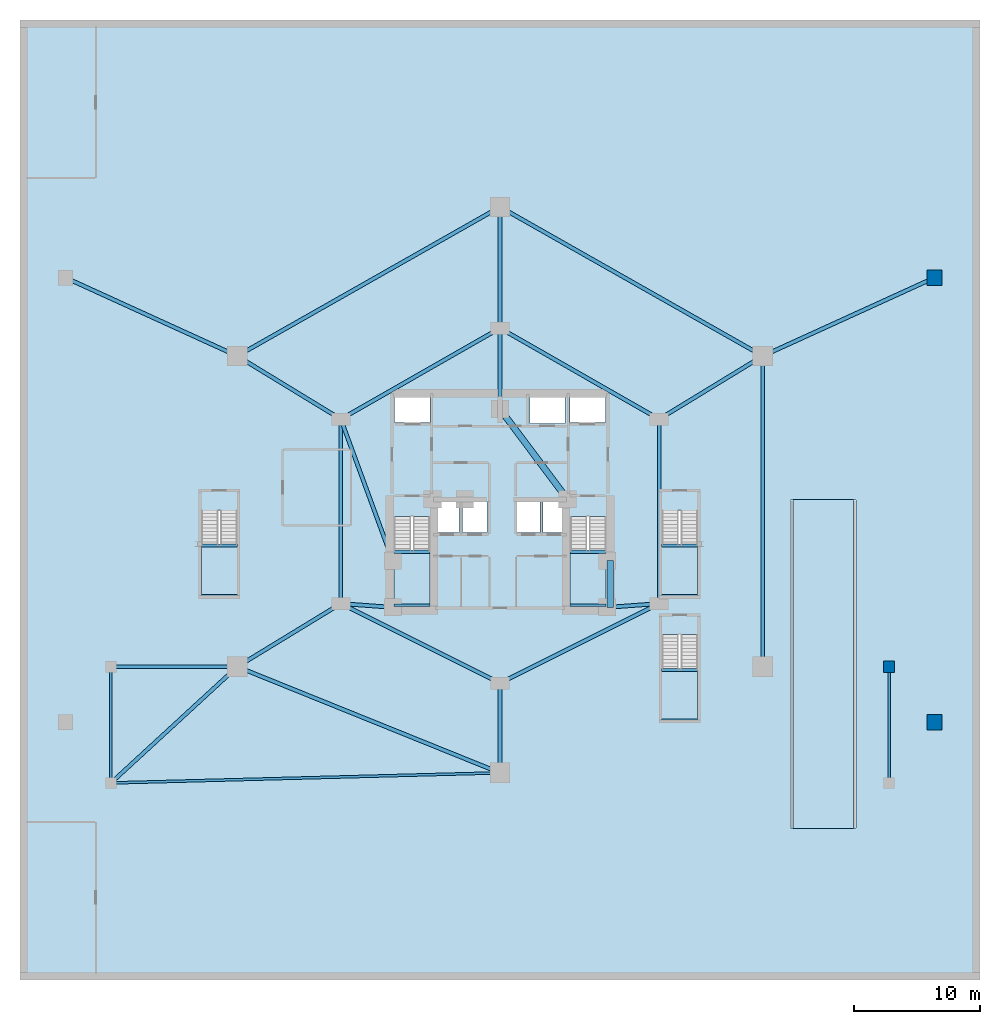
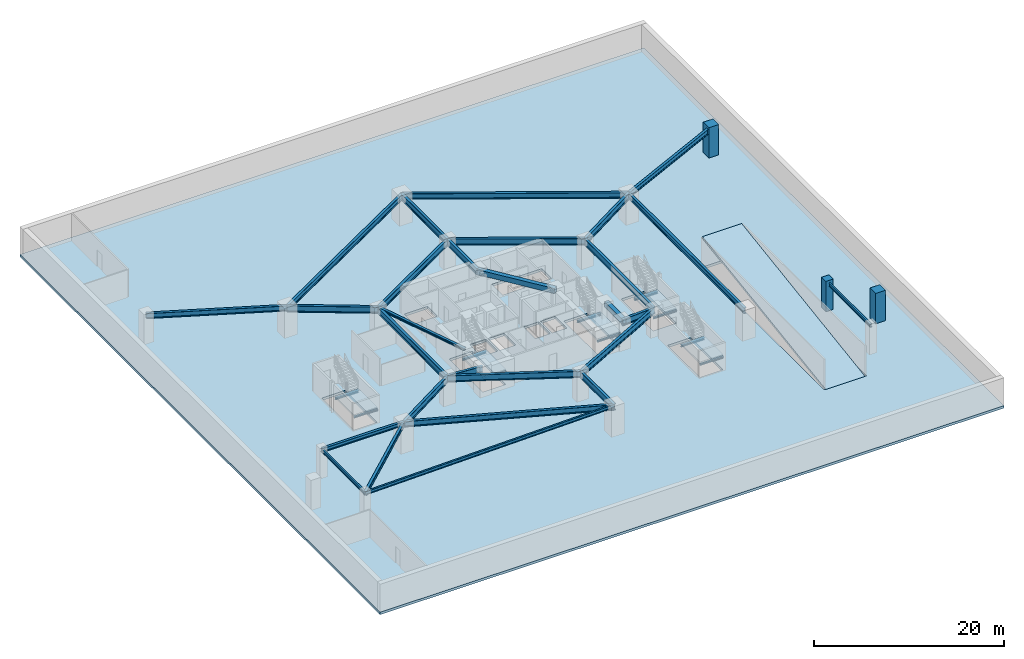
# One storey, part 4 of 12: 38 beams, 7 slabs, 3 columns, 5 elements without a shape of their own.
"""IFC4 building model written with IfcOpenShell, lengths in metres."""

from ifc_helpers import new_model, si_unit, direction, frame, origin, origin_2d, place, context, subcontext, project, spatial, polyline, rectangle, i_section, outline, extrude, material, layer, layer_set, material_profile, profile_set, type_object, element, aggregate, save


model = new_model("IFC4")

# Units and contexts
model_context = context("Model", 3, precision=1e-05, world=origin(), true_north=direction((0.0, 1.0)))
body_context = subcontext(model_context, "Body", "Model", "MODEL_VIEW")
ifc_project = project(units=[si_unit("LENGTHUNIT", "METRE"), si_unit("AREAUNIT", "SQUARE_METRE"), si_unit("VOLUMEUNIT", "CUBIC_METRE"), si_unit("PLANEANGLEUNIT", "RADIAN"), si_unit("MASSUNIT", "GRAM", prefix="KILO")], contexts=[model_context])

# Site, building, storey
site_placement = place(None, origin())
site = spatial("IfcSite", under=ifc_project, at=site_placement, CompositionType="ELEMENT")
building_placement = place(site_placement, origin())
building = spatial("IfcBuilding", under=site, at=building_placement, Name="Miruveldt Soraemaru", CompositionType="ELEMENT")
storey_placement = place(building_placement, frame((0.0, 0.0, -11.699951171875)))
storey = spatial("IfcBuildingStorey", under=building, at=storey_placement, Name="B3", CompositionType="ELEMENT", Elevation=-11.699951171875)

# Columns
ifc_material_1 = material(Name="Concrete C70/85 (70 MPa)", Category="concrete")
ifc_material_profile_1 = material_profile(ifc_material_1, rectangle(XDim=1.199951171875, YDim=1.199951171875, at=origin_2d()), Name="Concrete C70/85 (70 MPa)", Category="concrete")
ifc_profile_set_1 = profile_set([ifc_material_profile_1], Name="Concrete C70/85 (70 MPa)")
column_type_1 = type_object("IfcColumnType", Name="COL-CORE-1200", PredefinedType="COLUMN", material=ifc_profile_set_1)
for number, where, z_axis, x_axis, name in (
    (1, (78.39990234375, 26.39990234375, 0.0), (0.0, 0.0, 1.0), (1.0, 0.0, 0.0), "B3 Structural Column BC3"),
    (2, (78.39990234375, 61.60009765625, 0.0), (0.0, 0.0, 1.0), (1.0, 0.0, 0.0), "B3 Structural Column BC4"),
):
    element("IfcColumn", number, at=place(storey_placement, frame(where, z_axis=z_axis, x_axis=x_axis)), inside=storey, type_object=column_type_1, Name=name, PredefinedType="COLUMN", context=body_context, shape_type="SweptSolid", body=[
        extrude(rectangle(XDim=1.199951171875, YDim=1.199951171875, at=origin_2d()), origin(), (0.0, 0.0, 1.0), 3.89990234375),
    ])
ifc_material_2 = material(Name="Concrete C50/60 (50 MPa)", Category="concrete")
ifc_material_profile_2 = material_profile(ifc_material_2, rectangle(XDim=0.89990234375, YDim=0.89990234375, at=origin_2d()), Name="Concrete C50/60 (50 MPa)", Category="concrete")
ifc_profile_set_2 = profile_set([ifc_material_profile_2], Name="Concrete C50/60 (50 MPa)")
column_type_2 = type_object("IfcColumnType", Name="COL-CORE-900", PredefinedType="COLUMN", material=ifc_profile_set_2)
column_placement = place(storey_placement, frame((74.800048828125, 30.800048828125, 0.0), z_axis=(0.0, 0.0, 1.0), x_axis=(1.0, 0.0, 0.0)))
element("IfcColumn", 3, at=column_placement, inside=storey, type_object=column_type_2, Name="B3 Structural Column PF04", PredefinedType="COLUMN", context=body_context, shape_type="SweptSolid", body=[
    extrude(rectangle(XDim=0.89990234375, YDim=0.89990234375, at=origin_2d()), origin(), (0.0, 0.0, 1.0), 3.89990234375),
])

# Beams
ifc_material_3 = material(Name="Steel SM355 (355 MPa)", Category="steel")
ifc_material_profile_3 = material_profile(ifc_material_3, i_section(OverallWidth=0.300048828125, OverallDepth=0.300048828125, WebThickness=0.010009765625, FlangeThickness=0.014892578125, FilletRadius=0.01806640625, at=origin_2d()), Name="Steel SM355 (355 MPa)", Category="steel")
ifc_profile_set_3 = profile_set([ifc_material_profile_3], Name="Steel SM355 (355 MPa)")
beam_type_1 = type_object("IfcBeamType", Name="BM-LNT-H300", PredefinedType="LINTEL", material=ifc_profile_set_3)
beam_1_placement = place(storey_placement, frame((31.39990234375, 50.39990234375, 3.429931640625), z_axis=(0.343770424598, -0.939053723262, 0.0), x_axis=(0.939053723262, 0.343770424598, 0.0)))
element("IfcBeam", 4, at=beam_1_placement, inside=storey, type_object=beam_type_1, Name="B3 West Lobby Lintel", PredefinedType="LINTEL", context=body_context, shape_type="SweptSolid", body=[
    extrude(i_section(OverallWidth=0.300048828125, OverallDepth=0.300048828125, WebThickness=0.010009765625, FlangeThickness=0.014892578125, FilletRadius=0.01806640625, at=origin_2d()), origin(), (0.0, 0.0, 1.0), 11.9267578125),
])
ifc_material_profile_4 = material_profile(ifc_material_2, rectangle(XDim=0.5, YDim=0.64990234375, at=origin_2d()), Name="Concrete C50/60 (50 MPa)", Category="concrete")
ifc_profile_set_4 = profile_set([ifc_material_profile_4], Name="Concrete C50/60 (50 MPa)")
beam_type_2 = type_object("IfcBeamType", Name="BM-RC-500x650", PredefinedType="BEAM", material=ifc_profile_set_4)
beam_2_placement = place(storey_placement, frame((52.72998046875, 35.5, 3.2548828125), z_axis=(0.0, 1.0, 0.0), x_axis=(-1.0, 0.0, 0.0)))
element("IfcBeam", 5, at=beam_2_placement, inside=storey, type_object=beam_type_2, Name="B3 Core Tie Beam 3", PredefinedType="BEAM", context=body_context, shape_type="SweptSolid", body=[
    extrude(rectangle(XDim=0.5, YDim=0.64990234375, at=origin_2d()), origin(), (0.0, 0.0, 1.0), 3.699951171875),
])
beam_3_placement = place(storey_placement, frame((49.35009765625, 44.050048828125, 3.2548828125), z_axis=(-0.599116023999, 0.800662219533, 0.0), x_axis=(-0.800662219533, -0.599116023999, 0.0)))
element("IfcBeam", 6, at=beam_3_placement, inside=storey, type_object=beam_type_2, Name="B3 Core Tie Beam 5", PredefinedType="BEAM", context=body_context, shape_type="SweptSolid", body=[
    extrude(rectangle(XDim=0.5, YDim=0.64990234375, at=origin_2d()), origin(), (0.0, 0.0, 1.0), 8.929931640625),
])
ifc_material_profile_5 = material_profile(ifc_material_3, i_section(OverallWidth=0.199951171875, OverallDepth=0.39990234375, WebThickness=0.008056640625, FlangeThickness=0.012939453125, FilletRadius=0.01611328125, at=origin_2d()), Name="Steel SM355 (355 MPa)", Category="steel")
ifc_profile_set_5 = profile_set([ifc_material_profile_5], Name="Steel SM355 (355 MPa)")
beam_type_3 = type_object("IfcBeamType", Name="BM-ST-H400", PredefinedType="JOIST", material=ifc_profile_set_5)
beam_4_placement = place(storey_placement, frame((13.199951171875, 30.800048828125, 3.3798828125), z_axis=(0.0, -1.0, 0.0), x_axis=(1.0, 0.0, 0.0)))
element("IfcBeam", 7, at=beam_4_placement, inside=storey, type_object=beam_type_3, Name="B3 Podium West Bay Edge Beam", PredefinedType="JOIST", context=body_context, shape_type="SweptSolid", body=[
    extrude(i_section(OverallWidth=0.199951171875, OverallDepth=0.39990234375, WebThickness=0.008056640625, FlangeThickness=0.012939453125, FilletRadius=0.01611328125, at=origin_2d()), origin(), (0.0, 0.0, 1.0), 9.199951171875),
])
beam_5_placement = place(storey_placement, frame((13.199951171875, 21.60009765625, 3.3798828125), z_axis=(0.999663011165, 0.025958892686, 0.0), x_axis=(-0.025958892686, 0.999663011165, 0.0)))
element("IfcBeam", 8, at=beam_5_placement, inside=storey, type_object=beam_type_3, Name="B3 Podium South-West Tie Beam", PredefinedType="JOIST", context=body_context, shape_type="SweptSolid", body=[
    extrude(i_section(OverallWidth=0.199951171875, OverallDepth=0.39990234375, WebThickness=0.008056640625, FlangeThickness=0.012939453125, FilletRadius=0.01611328125, at=origin_2d()), origin(), (0.0, 0.0, 1.0), 30.810546875),
])
beam_6_placement = place(storey_placement, frame((74.800048828125, 30.800048828125, 3.3798828125), z_axis=(0.0, -1.0, 0.0), x_axis=(1.0, 0.0, 0.0)))
element("IfcBeam", 9, at=beam_6_placement, inside=storey, type_object=beam_type_3, Name="B3 Podium East Bay Edge Beam", PredefinedType="JOIST", context=body_context, shape_type="SweptSolid", body=[
    extrude(i_section(OverallWidth=0.199951171875, OverallDepth=0.39990234375, WebThickness=0.008056640625, FlangeThickness=0.012939453125, FilletRadius=0.01611328125, at=origin_2d()), origin(), (0.0, 0.0, 1.0), 9.199951171875),
])
ifc_material_profile_6 = material_profile(ifc_material_3, i_section(OverallWidth=0.300048828125, OverallDepth=0.488037109375, WebThickness=0.010986328125, FlangeThickness=0.01806640625, FilletRadius=0.02587890625, at=origin_2d()), Name="Steel SM355 (355 MPa)", Category="steel")
ifc_profile_set_6 = profile_set([ifc_material_profile_6], Name="Steel SM355 (355 MPa)")
beam_type_4 = type_object("IfcBeamType", Name="BM-ST-H488", PredefinedType="BEAM", material=ifc_profile_set_6)
beam_7_placement = place(storey_placement, frame((23.199951171875, 30.800048828125, 3.3359375), z_axis=(-1.0, 0.0, 0.0), x_axis=(0.0, -1.0, 0.0)))
element("IfcBeam", 10, at=beam_7_placement, inside=storey, type_object=beam_type_4, Name="B3 Podium West Bay Girder 1", PredefinedType="BEAM", context=body_context, shape_type="SweptSolid", body=[
    extrude(i_section(OverallWidth=0.300048828125, OverallDepth=0.488037109375, WebThickness=0.010986328125, FlangeThickness=0.01806640625, FilletRadius=0.02587890625, at=origin_2d()), origin(), (0.0, 0.0, 1.0), 10.0),
])
beam_8_placement = place(storey_placement, frame((13.199951171875, 21.60009765625, 3.3359375), z_axis=(0.735932802242, 0.677054584641, 0.0), x_axis=(-0.677054584641, 0.735932802242, 0.0)))
element("IfcBeam", 11, at=beam_8_placement, inside=storey, type_object=beam_type_4, Name="B3 Podium West Bay Tie Girder", PredefinedType="BEAM", context=body_context, shape_type="SweptSolid", body=[
    extrude(i_section(OverallWidth=0.300048828125, OverallDepth=0.488037109375, WebThickness=0.010986328125, FlangeThickness=0.01806640625, FilletRadius=0.02587890625, at=origin_2d()), origin(), (0.0, 0.0, 1.0), 13.588134765625),
])
ifc_material_profile_7 = material_profile(ifc_material_3, i_section(OverallWidth=0.300048828125, OverallDepth=0.64990234375, WebThickness=0.012939453125, FlangeThickness=0.02197265625, FilletRadius=0.02587890625, at=origin_2d()), Name="Steel SM355 (355 MPa)", Category="steel")
ifc_profile_set_7 = profile_set([ifc_material_profile_7], Name="Steel SM355 (355 MPa)")
beam_type_5 = type_object("IfcBeamType", Name="BM-ST-H650", PredefinedType="BEAM", material=ifc_profile_set_7)
for number, where, z_axis, x_axis, name in (
    (12, (23.199951171875, 55.39990234375, 3.2548828125), (-0.909901047337, 0.414825365733, 0.0), (-0.414825365733, -0.909901047337, 0.0), "B3 Basement Outer Girder 2"),
    (13, (64.800048828125, 55.39990234375, 3.2548828125), (0.909901047337, 0.414825365733, 0.0), (-0.414825365733, 0.909901047337, 0.0), "B3 Basement Outer Girder 4"),
):
    element("IfcBeam", number, at=place(storey_placement, frame(where, z_axis=z_axis, x_axis=x_axis)), inside=storey, type_object=beam_type_5, Name=name, PredefinedType="BEAM", context=body_context, shape_type="SweptSolid", body=[
        extrude(i_section(OverallWidth=0.300048828125, OverallDepth=0.64990234375, WebThickness=0.012939453125, FlangeThickness=0.02197265625, FilletRadius=0.02587890625, at=origin_2d()), origin(), (0.0, 0.0, 1.0), 14.946533203125),
    ])
ifc_material_profile_8 = material_profile(ifc_material_3, i_section(OverallWidth=0.300048828125, OverallDepth=0.699951171875, WebThickness=0.012939453125, FlangeThickness=0.02392578125, FilletRadius=0.028076171875, at=origin_2d()), Name="Steel SM355 (355 MPa)", Category="steel")
ifc_profile_set_8 = profile_set([ifc_material_profile_8], Name="Steel SM355 (355 MPa)")
beam_type_6 = type_object("IfcBeamType", Name="BM-ST-H700", PredefinedType="BEAM", material=ifc_profile_set_8)
beam_9_placement = place(storey_placement, frame((44.0, 67.199951171875, 3.22998046875), z_axis=(0.869782551993, -0.493435215858, 0.0), x_axis=(0.493435215858, 0.869782551993, 0.0)))
element("IfcBeam", 14, at=beam_9_placement, inside=storey, type_object=beam_type_6, Name="B3 Podium Ring Girder 1", PredefinedType="BEAM", context=body_context, shape_type="SweptSolid", body=[
    extrude(i_section(OverallWidth=0.300048828125, OverallDepth=0.699951171875, WebThickness=0.012939453125, FlangeThickness=0.02392578125, FilletRadius=0.028076171875, at=origin_2d()), origin(), (0.0, 0.0, 1.0), 23.9140625),
])
beam_10_placement = place(storey_placement, frame((64.800048828125, 55.39990234375, 3.22998046875), z_axis=(0.0, -1.0, 0.0), x_axis=(1.0, 0.0, 0.0)))
element("IfcBeam", 15, at=beam_10_placement, inside=storey, type_object=beam_type_6, Name="B3 Podium Ring Girder 2", PredefinedType="BEAM", context=body_context, shape_type="SweptSolid", body=[
    extrude(i_section(OverallWidth=0.300048828125, OverallDepth=0.699951171875, WebThickness=0.012939453125, FlangeThickness=0.02392578125, FilletRadius=0.028076171875, at=origin_2d()), origin(), (0.0, 0.0, 1.0), 24.599853515625),
])
beam_11_placement = place(storey_placement, frame((44.0, 22.39990234375, 3.22998046875), z_axis=(-0.927239874954, 0.374467908231, 0.0), x_axis=(-0.374467908231, -0.927239874954, 0.0)))
element("IfcBeam", 16, at=beam_11_placement, inside=storey, type_object=beam_type_6, Name="B3 Podium Ring Girder 4", PredefinedType="BEAM", context=body_context, shape_type="SweptSolid", body=[
    extrude(i_section(OverallWidth=0.300048828125, OverallDepth=0.699951171875, WebThickness=0.012939453125, FlangeThickness=0.02392578125, FilletRadius=0.028076171875, at=origin_2d()), origin(), (0.0, 0.0, 1.0), 22.43212890625),
])
beam_12_placement = place(storey_placement, frame((23.199951171875, 55.39990234375, 3.22998046875), z_axis=(0.869782551993, 0.493435215858, 0.0), x_axis=(-0.493435215858, 0.869782551993, 0.0)))
element("IfcBeam", 17, at=beam_12_placement, inside=storey, type_object=beam_type_6, Name="B3 Podium Ring Girder 6", PredefinedType="BEAM", context=body_context, shape_type="SweptSolid", body=[
    extrude(i_section(OverallWidth=0.300048828125, OverallDepth=0.699951171875, WebThickness=0.012939453125, FlangeThickness=0.02392578125, FilletRadius=0.028076171875, at=origin_2d()), origin(), (0.0, 0.0, 1.0), 23.9140625),
])
ifc_material_4 = material(Name="Steel S460 (460 MPa)", Category="steel")
ifc_material_profile_9 = material_profile(ifc_material_4, i_section(OverallWidth=0.300048828125, OverallDepth=0.800048828125, WebThickness=0.013916015625, FlangeThickness=0.02587890625, FilletRadius=0.028076171875, at=origin_2d()), Name="Steel S460 (460 MPa)", Category="steel")
ifc_profile_set_9 = profile_set([ifc_material_profile_9], Name="Steel S460 (460 MPa)")
beam_type_7 = type_object("IfcBeamType", Name="BM-ST-H800", PredefinedType="BEAM", material=ifc_profile_set_9)
beam_13_placement = place(storey_placement, frame((44.0, 57.60009765625, 3.179931640625), z_axis=(0.868239001029, -0.496146185203, 0.0), x_axis=(0.496146185203, 0.868239001029, 0.0)))
element("IfcBeam", 18, at=beam_13_placement, inside=storey, type_object=beam_type_7, Name="B3 Inner Ring Girder 1", PredefinedType="BEAM", context=body_context, shape_type="SweptSolid", body=[
    extrude(i_section(OverallWidth=0.300048828125, OverallDepth=0.800048828125, WebThickness=0.013916015625, FlangeThickness=0.02587890625, FilletRadius=0.028076171875, at=origin_2d()), origin(), (0.0, 0.0, 1.0), 14.51220703125),
])
beam_14_placement = place(storey_placement, frame((44.0, 51.199951171875, 3.179931640625), z_axis=(0.0, 1.0, 0.0), x_axis=(-1.0, 0.0, 0.0)))
element("IfcBeam", 19, at=beam_14_placement, inside=storey, type_object=beam_type_7, Name="B3 Core-to-Inner Radial Girder 1", PredefinedType="BEAM", context=body_context, shape_type="SweptSolid", body=[
    extrude(i_section(OverallWidth=0.300048828125, OverallDepth=0.800048828125, WebThickness=0.013916015625, FlangeThickness=0.02587890625, FilletRadius=0.028076171875, at=origin_2d()), origin(), (0.0, 0.0, 1.0), 6.400146484375),
])
beam_15_placement = place(storey_placement, frame((56.60009765625, 50.39990234375, 3.179931640625), z_axis=(0.0, -1.0, 0.0), x_axis=(1.0, 0.0, 0.0)))
element("IfcBeam", 20, at=beam_15_placement, inside=storey, type_object=beam_type_7, Name="B3 Inner Ring Girder 2", PredefinedType="BEAM", context=body_context, shape_type="SweptSolid", body=[
    extrude(i_section(OverallWidth=0.300048828125, OverallDepth=0.800048828125, WebThickness=0.013916015625, FlangeThickness=0.02587890625, FilletRadius=0.028076171875, at=origin_2d()), origin(), (0.0, 0.0, 1.0), 14.599853515625),
])
beam_16_placement = place(storey_placement, frame((56.60009765625, 35.800048828125, 3.179931640625), z_axis=(-0.894427191, -0.4472135955, 0.0), x_axis=(0.4472135955, -0.894427191, 0.0)))
element("IfcBeam", 21, at=beam_16_placement, inside=storey, type_object=beam_type_7, Name="B3 Inner Ring Girder 3", PredefinedType="BEAM", context=body_context, shape_type="SweptSolid", body=[
    extrude(i_section(OverallWidth=0.300048828125, OverallDepth=0.800048828125, WebThickness=0.013916015625, FlangeThickness=0.02587890625, FilletRadius=0.028076171875, at=origin_2d()), origin(), (0.0, 0.0, 1.0), 14.08740234375),
])
beam_17_placement = place(storey_placement, frame((52.5, 35.5, 3.179931640625), z_axis=(0.997332985605, 0.072985723431, 0.0), x_axis=(-0.072985723431, 0.997332985605, 0.0)))
element("IfcBeam", 22, at=beam_17_placement, inside=storey, type_object=beam_type_7, Name="B3 Core-to-Inner Radial Girder 3", PredefinedType="BEAM", context=body_context, shape_type="SweptSolid", body=[
    extrude(i_section(OverallWidth=0.300048828125, OverallDepth=0.800048828125, WebThickness=0.013916015625, FlangeThickness=0.02587890625, FilletRadius=0.028076171875, at=origin_2d()), origin(), (0.0, 0.0, 1.0), 4.111083984375),
])
beam_18_placement = place(storey_placement, frame((44.0, 29.5, 3.179931640625), z_axis=(-0.894427191, 0.4472135955, 0.0), x_axis=(-0.4472135955, -0.894427191, 0.0)))
element("IfcBeam", 23, at=beam_18_placement, inside=storey, type_object=beam_type_7, Name="B3 Inner Ring Girder 4", PredefinedType="BEAM", context=body_context, shape_type="SweptSolid", body=[
    extrude(i_section(OverallWidth=0.300048828125, OverallDepth=0.800048828125, WebThickness=0.013916015625, FlangeThickness=0.02587890625, FilletRadius=0.028076171875, at=origin_2d()), origin(), (0.0, 0.0, 1.0), 14.08740234375),
])
beam_19_placement = place(storey_placement, frame((31.39990234375, 35.800048828125, 3.179931640625), z_axis=(0.0, 1.0, 0.0), x_axis=(-1.0, 0.0, 0.0)))
element("IfcBeam", 24, at=beam_19_placement, inside=storey, type_object=beam_type_7, Name="B3 Inner Ring Girder 5", PredefinedType="BEAM", context=body_context, shape_type="SweptSolid", body=[
    extrude(i_section(OverallWidth=0.300048828125, OverallDepth=0.800048828125, WebThickness=0.013916015625, FlangeThickness=0.02587890625, FilletRadius=0.028076171875, at=origin_2d()), origin(), (0.0, 0.0, 1.0), 14.599853515625),
])
beam_20_placement = place(storey_placement, frame((35.5, 35.5, 3.179931640625), z_axis=(-0.997332985605, 0.072985723431, 0.0), x_axis=(-0.072985723431, -0.997332985605, 0.0)))
element("IfcBeam", 25, at=beam_20_placement, inside=storey, type_object=beam_type_7, Name="B3 Core-to-Inner Radial Girder 5", PredefinedType="BEAM", context=body_context, shape_type="SweptSolid", body=[
    extrude(i_section(OverallWidth=0.300048828125, OverallDepth=0.800048828125, WebThickness=0.013916015625, FlangeThickness=0.02587890625, FilletRadius=0.028076171875, at=origin_2d()), origin(), (0.0, 0.0, 1.0), 4.111083984375),
])
beam_21_placement = place(storey_placement, frame((31.39990234375, 50.39990234375, 3.179931640625), z_axis=(0.868239001029, 0.496146185203, 0.0), x_axis=(-0.496146185203, 0.868239001029, 0.0)))
element("IfcBeam", 26, at=beam_21_placement, inside=storey, type_object=beam_type_7, Name="B3 Inner Ring Girder 6", PredefinedType="BEAM", context=body_context, shape_type="SweptSolid", body=[
    extrude(i_section(OverallWidth=0.300048828125, OverallDepth=0.800048828125, WebThickness=0.013916015625, FlangeThickness=0.02587890625, FilletRadius=0.028076171875, at=origin_2d()), origin(), (0.0, 0.0, 1.0), 14.51220703125),
])
beam_22_placement = place(storey_placement, frame((44.0, 57.60009765625, 3.179931640625), z_axis=(0.0, 1.0, 0.0), x_axis=(-1.0, 0.0, 0.0)))
element("IfcBeam", 27, at=beam_22_placement, inside=storey, type_object=beam_type_7, Name="B3 Podium Radial Girder 1", PredefinedType="BEAM", context=body_context, shape_type="SweptSolid", body=[
    extrude(i_section(OverallWidth=0.300048828125, OverallDepth=0.800048828125, WebThickness=0.013916015625, FlangeThickness=0.02587890625, FilletRadius=0.028076171875, at=origin_2d()), origin(), (0.0, 0.0, 1.0), 9.599853515625),
])
beam_23_placement = place(storey_placement, frame((56.60009765625, 50.39990234375, 3.179931640625), z_axis=(0.853794797843, 0.520609684098, 0.0), x_axis=(-0.520609684098, 0.853794797843, 0.0)))
element("IfcBeam", 28, at=beam_23_placement, inside=storey, type_object=beam_type_7, Name="B3 Podium Radial Girder 2", PredefinedType="BEAM", context=body_context, shape_type="SweptSolid", body=[
    extrude(i_section(OverallWidth=0.300048828125, OverallDepth=0.800048828125, WebThickness=0.013916015625, FlangeThickness=0.02587890625, FilletRadius=0.028076171875, at=origin_2d()), origin(), (0.0, 0.0, 1.0), 9.60400390625),
])
beam_24_placement = place(storey_placement, frame((44.0, 29.5, 3.179931640625), z_axis=(0.0, -1.0, 0.0), x_axis=(1.0, 0.0, 0.0)))
element("IfcBeam", 29, at=beam_24_placement, inside=storey, type_object=beam_type_7, Name="B3 Podium Radial Girder 4", PredefinedType="BEAM", context=body_context, shape_type="SweptSolid", body=[
    extrude(i_section(OverallWidth=0.300048828125, OverallDepth=0.800048828125, WebThickness=0.013916015625, FlangeThickness=0.02587890625, FilletRadius=0.028076171875, at=origin_2d()), origin(), (0.0, 0.0, 1.0), 7.10009765625),
])
for number, where, z_axis, x_axis, name in (
    (30, (31.39990234375, 35.800048828125, 3.179931640625), (-0.853794797843, -0.520609684098, 0.0), (0.520609684098, -0.853794797843, 0.0), "B3 Podium Radial Girder 5"),
    (31, (31.39990234375, 50.39990234375, 3.179931640625), (-0.853794797843, 0.520609684098, 0.0), (-0.520609684098, -0.853794797843, 0.0), "B3 Podium Radial Girder 6"),
):
    element("IfcBeam", number, at=place(storey_placement, frame(where, z_axis=z_axis, x_axis=x_axis)), inside=storey, type_object=beam_type_7, Name=name, PredefinedType="BEAM", context=body_context, shape_type="SweptSolid", body=[
        extrude(i_section(OverallWidth=0.300048828125, OverallDepth=0.800048828125, WebThickness=0.013916015625, FlangeThickness=0.02587890625, FilletRadius=0.028076171875, at=origin_2d()), origin(), (0.0, 0.0, 1.0), 9.60400390625),
    ])
ifc_material_profile_10 = material_profile(ifc_material_3, i_section(OverallWidth=0.199951171875, OverallDepth=0.199951171875, WebThickness=0.008056640625, FlangeThickness=0.011962890625, FilletRadius=0.012939453125, at=origin_2d()), Name="Steel SM355 (355 MPa)", Category="steel")
ifc_profile_set_10 = profile_set([ifc_material_profile_10], Name="Steel SM355 (355 MPa)")
beam_type_8 = type_object("IfcBeamType", Name="BM-ST-LND200", PredefinedType="BEAM", material=ifc_profile_set_10)
for number, where, z_axis, x_axis, name in (
    (32, (35.60009765625, 35.64990234375, 1.64990234375), (1.0, 0.0, 0.0), (0.0, 1.0, 0.0), "B3 ST1 Landing End Beam 1B"),
    (33, (49.550048828125, 35.64990234375, 1.64990234375), (1.0, 0.0, 0.0), (0.0, 1.0, 0.0), "B3 ST2 Landing End Beam 1B"),
    (34, (20.35009765625, 36.39990234375, 1.64990234375), (1.0, 0.0, 0.0), (0.0, 1.0, 0.0), "B3 ST3 Landing End Beam 1B"),
    (35, (56.800048828125, 36.39990234375, 1.64990234375), (1.0, 0.0, 0.0), (0.0, 1.0, 0.0), "B3 ST4 Landing End Beam 1B"),
    (36, (56.800048828125, 26.550048828125, 1.64990234375), (1.0, 0.0, 0.0), (0.0, 1.0, 0.0), "B3 ST5 Landing End Beam 1B"),
):
    element("IfcBeam", number, at=place(storey_placement, frame(where, z_axis=z_axis, x_axis=x_axis)), inside=storey, type_object=beam_type_8, Name=name, PredefinedType="BEAM", context=body_context, shape_type="SweptSolid", body=[
        extrude(i_section(OverallWidth=0.199951171875, OverallDepth=0.199951171875, WebThickness=0.008056640625, FlangeThickness=0.011962890625, FilletRadius=0.012939453125, at=origin_2d()), origin(), (0.0, 0.0, 1.0), 2.849853515625),
    ])
ifc_material_profile_11 = material_profile(ifc_material_3, i_section(OverallWidth=0.25, OverallDepth=0.25, WebThickness=0.009033203125, FlangeThickness=0.013916015625, FilletRadius=0.01611328125, at=origin_2d()), Name="Steel SM355 (355 MPa)", Category="steel")
ifc_profile_set_11 = profile_set([ifc_material_profile_11], Name="Steel SM355 (355 MPa)")
beam_type_9 = type_object("IfcBeamType", Name="BM-ST-LND250", PredefinedType="BEAM", material=ifc_profile_set_11)
for number, where, z_axis, x_axis, name in (
    (37, (35.60009765625, 39.89990234375, 1.625), (1.0, 0.0, 0.0), (0.0, 1.0, 0.0), "B3 ST1 Landing Support Beam 1A"),
    (38, (49.550048828125, 39.89990234375, 1.625), (1.0, 0.0, 0.0), (0.0, 1.0, 0.0), "B3 ST2 Landing Support Beam 1A"),
    (39, (20.35009765625, 40.39990234375, 1.625), (1.0, 0.0, 0.0), (0.0, 1.0, 0.0), "B3 ST3 Landing Support Beam 1A"),
    (40, (56.800048828125, 40.39990234375, 1.625), (1.0, 0.0, 0.0), (0.0, 1.0, 0.0), "B3 ST4 Landing Support Beam 1A"),
    (41, (56.800048828125, 30.550048828125, 1.625), (1.0, 0.0, 0.0), (0.0, 1.0, 0.0), "B3 ST5 Landing Support Beam 1A"),
):
    element("IfcBeam", number, at=place(storey_placement, frame(where, z_axis=z_axis, x_axis=x_axis)), inside=storey, type_object=beam_type_9, Name=name, PredefinedType="BEAM", context=body_context, shape_type="SweptSolid", body=[
        extrude(i_section(OverallWidth=0.25, OverallDepth=0.25, WebThickness=0.009033203125, FlangeThickness=0.013916015625, FilletRadius=0.01611328125, at=origin_2d()), origin(), (0.0, 0.0, 1.0), 2.849853515625),
    ])

# Slab
ifc_layer_1 = layer(ifc_material_2, 0.320068359375, Name="Concrete C50/60 (50 MPa)", Category="concrete")
ifc_layer_set_1 = layer_set([ifc_layer_1], Name="Concrete C50/60 (50 MPa)")
slab_type_1 = type_object("IfcSlabType", Name="SLAB-BSMT-320", PredefinedType="FLOOR", material=ifc_layer_set_1)
slab_1_placement = place(storey_placement, frame((0.0, 0.0, -0.320068359375)))
element("IfcSlab", 42, at=slab_1_placement, inside=storey, type_object=slab_type_1, Name="B3 Structural Floor Slab", PredefinedType="FLOOR", context=body_context, shape_type="SweptSolid", body=[
    extrude(outline(polyline([(6.0, 82.0), (82.0, 82.0), (82.0, 6.0), (6.0, 6.0), (6.0, 82.0)]), holes=[polyline([(35.614990234375, 35.6650390625), (38.43505859375, 35.6650390625), (38.43505859375, 42.68505859375), (35.614990234375, 42.68505859375), (35.614990234375, 35.6650390625)]), polyline([(20.364990234375, 43.18505859375), (20.364990234375, 36.4150390625), (23.18505859375, 36.4150390625), (23.18505859375, 43.18505859375), (20.364990234375, 43.18505859375)]), polyline([(38.81494140625, 41.4150390625), (40.764892578125, 41.4150390625), (40.764892578125, 43.885009765625), (38.81494140625, 43.885009765625), (38.81494140625, 41.4150390625)]), polyline([(42.965087890625, 41.4150390625), (42.965087890625, 43.885009765625), (41.034912109375, 43.885009765625), (41.034912109375, 41.4150390625), (42.965087890625, 41.4150390625)]), polyline([(45.364990234375, 41.4150390625), (47.1650390625, 41.4150390625), (47.1650390625, 43.885009765625), (45.364990234375, 43.885009765625), (45.364990234375, 41.4150390625)]), polyline([(35.635009765625, 50.135009765625), (38.445068359375, 50.135009765625), (38.445068359375, 52.205078125), (35.635009765625, 52.205078125), (35.635009765625, 50.135009765625)]), polyline([(49.135009765625, 50.06494140625), (49.135009765625, 52.3349609375), (46.364990234375, 52.3349609375), (46.364990234375, 50.06494140625), (49.135009765625, 50.06494140625)]), polyline([(56.81494140625, 33.3349609375), (56.81494140625, 26.56494140625), (59.635009765625, 26.56494140625), (59.635009765625, 33.3349609375), (56.81494140625, 33.3349609375)]), polyline([(67.014892578125, 18.014892578125), (72.18505859375, 18.014892578125), (72.18505859375, 43.985107421875), (67.014892578125, 43.985107421875), (67.014892578125, 18.014892578125)]), polyline([(49.56494140625, 42.68505859375), (49.56494140625, 35.6650390625), (52.385009765625, 35.6650390625), (52.385009765625, 42.68505859375), (49.56494140625, 42.68505859375)]), polyline([(56.81494140625, 43.18505859375), (56.81494140625, 36.4150390625), (59.635009765625, 36.4150390625), (59.635009765625, 43.18505859375), (56.81494140625, 43.18505859375)]), polyline([(47.39501953125, 41.4150390625), (49.18505859375, 41.4150390625), (49.18505859375, 43.885009765625), (47.39501953125, 43.885009765625), (47.39501953125, 41.4150390625)]), polyline([(49.554931640625, 50.135009765625), (52.364990234375, 50.135009765625), (52.364990234375, 52.205078125), (49.554931640625, 52.205078125), (49.554931640625, 50.135009765625)])]), origin(), (0.0, 0.0, 1.0), 0.320068359375),
])

# Stair, slab
ifc_material_5 = material(Name="Concrete C40/50 (40 MPa)", Category="concrete")
stair_type_1 = type_object("IfcStairType", Name="STAIR-DL-390", PredefinedType="HALF_TURN_STAIR", material=ifc_material_5)
stair_1_placement = place(storey_placement, origin())
stair_1 = element("IfcStair", 43, at=stair_1_placement, inside=storey, type_object=stair_type_1, Name="B3 Protected Exit Stair ST-1", PredefinedType="HALF_TURN_STAIR")
ifc_layer_2 = layer(ifc_material_5, 0.199951171875, Name="Concrete C40/50 (40 MPa)", Category="concrete")
ifc_layer_set_2 = layer_set([ifc_layer_2], Name="Concrete C40/50 (40 MPa)")
slab_type_2 = type_object("IfcSlabType", Name="SLAB-LAND-200", PredefinedType="LANDING", material=ifc_layer_set_2)
slab_2_placement = place(storey_placement, frame((0.0, 0.0, 1.75)))
slab_2 = element("IfcSlab", 44, at=slab_2_placement, type_object=slab_type_2, Name="ST-1 landing 1", PredefinedType="LANDING", context=body_context, shape_type="SweptSolid", body=[
    extrude(outline(polyline([(35.60009765625, 39.91796875), (35.60009765625, 35.64990234375), (38.449951171875, 35.64990234375), (38.449951171875, 39.91796875), (35.60009765625, 39.91796875)])), origin(), (0.0, 0.0, 1.0), 0.199951171875),
])
aggregate(stair_1, [slab_2])

stair_2_placement = place(storey_placement, origin())
stair_2 = element("IfcStair", 45, at=stair_2_placement, inside=storey, type_object=stair_type_1, Name="B3 Protected Exit Stair ST-2", PredefinedType="HALF_TURN_STAIR")
slab_3_placement = place(storey_placement, frame((0.0, 0.0, 1.75)))
slab_3 = element("IfcSlab", 46, at=slab_3_placement, type_object=slab_type_2, Name="ST-2 landing 1", PredefinedType="LANDING", context=body_context, shape_type="SweptSolid", body=[
    extrude(outline(polyline([(49.550048828125, 39.91796875), (49.550048828125, 35.64990234375), (52.39990234375, 35.64990234375), (52.39990234375, 39.91796875), (49.550048828125, 39.91796875)])), origin(), (0.0, 0.0, 1.0), 0.199951171875),
])
aggregate(stair_2, [slab_3])

stair_3_placement = place(storey_placement, origin())
stair_3 = element("IfcStair", 47, at=stair_3_placement, inside=storey, type_object=stair_type_1, Name="B3 Podium Protected Exit Stair ST-3", PredefinedType="HALF_TURN_STAIR")
slab_4_placement = place(storey_placement, frame((0.0, 0.0, 1.75)))
slab_4 = element("IfcSlab", 48, at=slab_4_placement, type_object=slab_type_2, Name="ST-3 landing 1", PredefinedType="LANDING", context=body_context, shape_type="SweptSolid", body=[
    extrude(outline(polyline([(20.35009765625, 40.41796875), (20.35009765625, 36.39990234375), (23.199951171875, 36.39990234375), (23.199951171875, 40.41796875), (20.35009765625, 40.41796875)])), origin(), (0.0, 0.0, 1.0), 0.199951171875),
])
aggregate(stair_3, [slab_4])

ifc_material_6 = material(Name="Steel S355 (355 MPa)", Category="steel")
stair_type_2 = type_object("IfcStairType", Name="STAIR-FEAT-STR", PredefinedType="TWO_STRAIGHT_RUN_STAIR", material=ifc_material_6)
stair_4_placement = place(storey_placement, origin())
stair_4 = element("IfcStair", 49, at=stair_4_placement, inside=storey, type_object=stair_type_2, Name="B3 Podium Garden Feature Stair ST-4", PredefinedType="TWO_STRAIGHT_RUN_STAIR")
slab_5_placement = place(storey_placement, frame((0.0, 0.0, 1.75)))
slab_5 = element("IfcSlab", 50, at=slab_5_placement, type_object=slab_type_2, Name="ST-4 landing 1", PredefinedType="LANDING", context=body_context, shape_type="SweptSolid", body=[
    extrude(outline(polyline([(56.800048828125, 40.41796875), (56.800048828125, 36.39990234375), (59.64990234375, 36.39990234375), (59.64990234375, 40.41796875), (56.800048828125, 40.41796875)])), origin(), (0.0, 0.0, 1.0), 0.199951171875),
])
aggregate(stair_4, [slab_5])

stair_5_placement = place(storey_placement, origin())
stair_5 = element("IfcStair", 51, at=stair_5_placement, inside=storey, type_object=stair_type_2, Name="B3 Basement Service Dogleg Stair ST-5", PredefinedType="TWO_STRAIGHT_RUN_STAIR")
slab_6_placement = place(storey_placement, frame((0.0, 0.0, 1.75)))
slab_6 = element("IfcSlab", 52, at=slab_6_placement, type_object=slab_type_2, Name="ST-5 landing 1", PredefinedType="LANDING", context=body_context, shape_type="SweptSolid", body=[
    extrude(outline(polyline([(56.800048828125, 30.568115234375), (56.800048828125, 26.550048828125), (59.64990234375, 26.550048828125), (59.64990234375, 30.568115234375), (56.800048828125, 30.568115234375)])), origin(), (0.0, 0.0, 1.0), 0.199951171875),
])
aggregate(stair_5, [slab_6])

# Slab
ifc_layer_3 = layer(ifc_material_5, 0.260009765625, Name="Concrete C40/50 (40 MPa)", Category="concrete")
ifc_layer_set_3 = layer_set([ifc_layer_3], Name="Concrete C40/50 (40 MPa)")
slab_type_3 = type_object("IfcSlabType", Name="SLAB-RMP-260", PredefinedType="USERDEFINED", material=ifc_layer_set_3)
slab_7_placement = place(storey_placement, frame((67.199951171875, 17.97998046875, 0.0), z_axis=(0.0, -0.148113745454, 0.98897033242), x_axis=(1.0, 0.0, 0.0)))
element("IfcSlab", 53, at=slab_7_placement, inside=storey, type_object=slab_type_3, Name="Car Park Vehicle Ramp Structural Slab B3 to B2", ObjectType="VEHICULAR RAMP", PredefinedType="USERDEFINED", context=body_context, shape_type="SweptSolid", body=[
    extrude(outline(polyline([(0.0, 0.0), (4.800048828125, 0.0), (4.800048828125, 26.33056640625), (0.0, 26.33056640625), (0.0, 0.0)])), origin(), (0.0, 0.0, -1.0), 0.260009765625),
])

save(model, "model.ifc")
